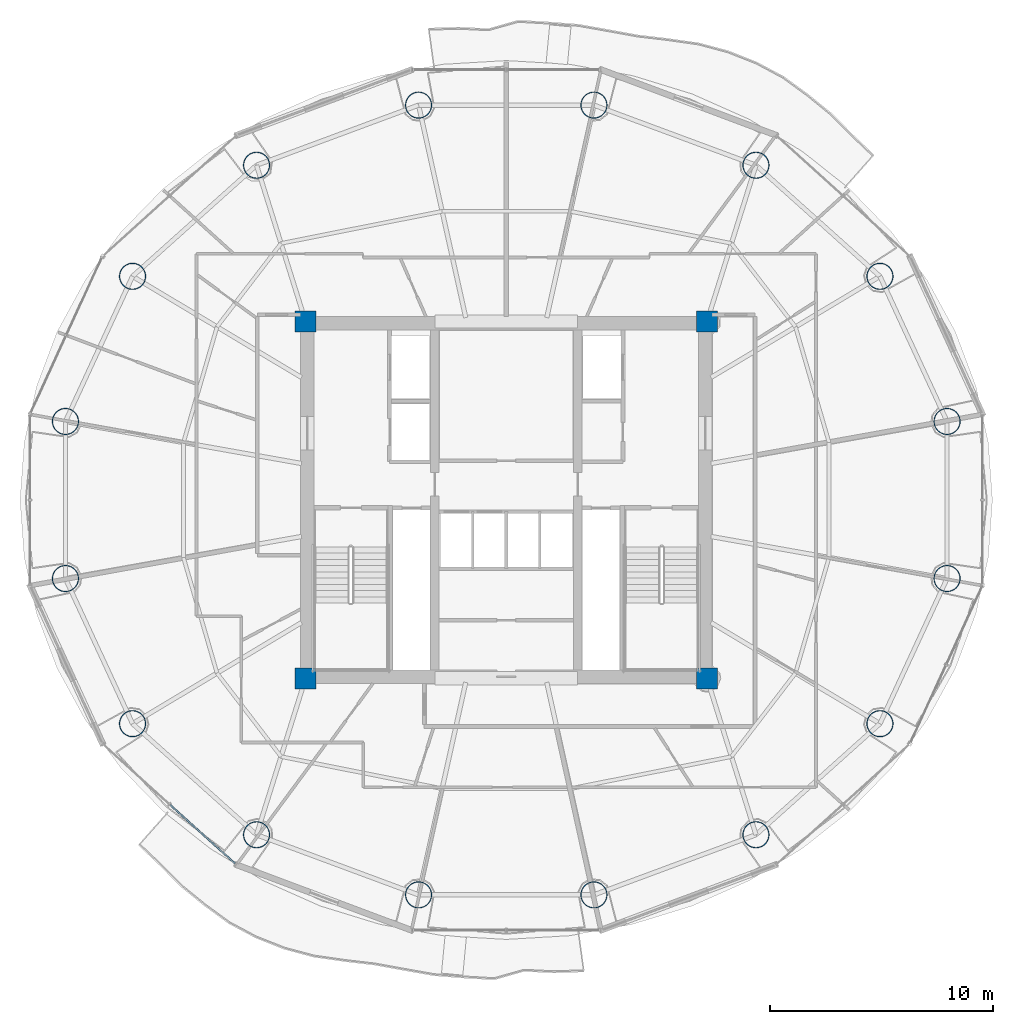
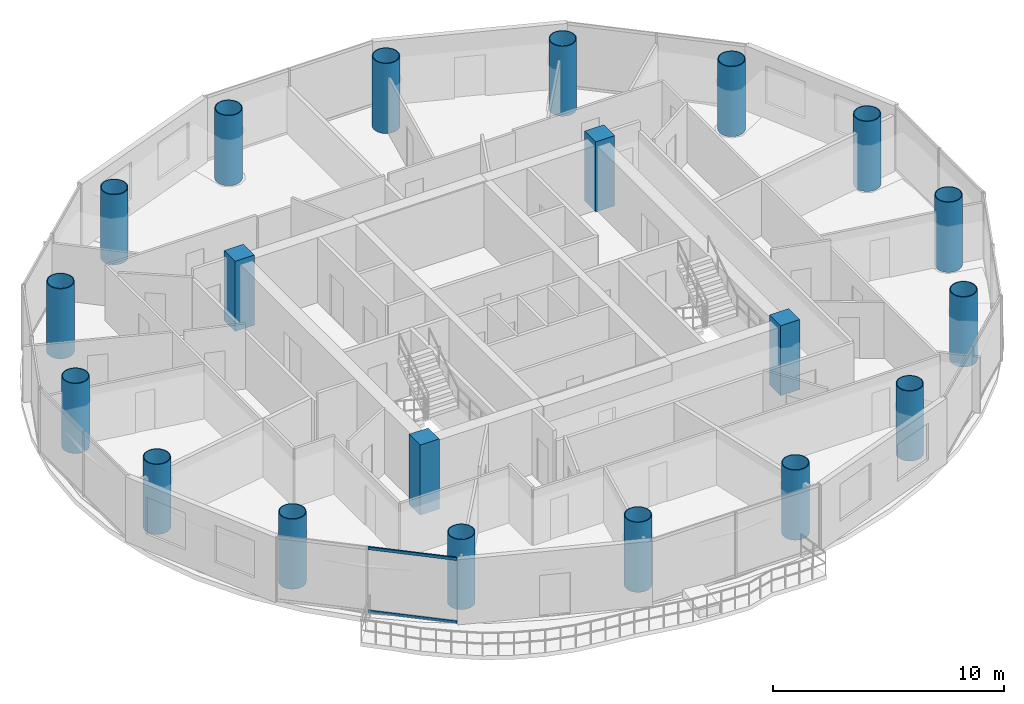
# One storey, part 1 of 27: 20 columns, 2 members, 1 element without a shape of its own.
"""IFC4 building model written with IfcOpenShell, lengths in metres."""

import ifcopenshell
import ifcopenshell.guid

model = None  # the IFC model being written
_history = None  # IfcOwnerHistory: only IFC2X3 demands one
_inside = {}  # id of a spatial element -> (the spatial element, [elements in it])
_under = {}  # id of a project, library or spatial element -> (it, [spatial elements below it])
_declared = {}  # id of a project -> (the project, [libraries it declares])
_typed = {}  # id of a type object -> (the type object, [elements of that type])
_made_of = {}  # id of a material, layer set ... -> (it, [elements and type objects made of it])


def new_model(schema):
    """Start an empty IFC model of exactly this schema.

    Asked for "IFC4X3", IfcOpenShell would pick the latest addendum, in which some entities
    have other attributes; the version numbers below select the first issue.
    IFC2X3 requires an IfcOwnerHistory on every rooted entity: one is made here for all.
    """
    global model, _history
    if schema == "IFC4X3":
        model = ifcopenshell.file(schema_version=(4, 3, 0, 0))
    else:
        model = ifcopenshell.file(schema=schema)
    _inside.clear()
    _under.clear()
    _declared.clear()
    _typed.clear()
    _made_of.clear()
    _history = None
    if model.schema == "IFC2X3":
        org = make("IfcOrganization", Name="unknown")
        user = make(
            "IfcPersonAndOrganization",
            ThePerson=make("IfcPerson", FamilyName="unknown"),
            TheOrganization=org,
        )
        app = make(
            "IfcApplication",
            ApplicationDeveloper=org,
            Version="unknown",
            ApplicationFullName="unknown",
            ApplicationIdentifier="unknown",
        )
        _history = make(
            "IfcOwnerHistory",
            OwningUser=user,
            OwningApplication=app,
            ChangeAction="ADDED",
            CreationDate=0,
        )
    return model


def make(cls, **values):
    """One entity of the class cls with the attributes given. An attribute that is None is left unset."""
    return model.create_entity(
        cls, **{name: value for name, value in values.items() if value is not None}
    )


def rooted(cls, **values):
    """An entity with a GlobalId (a new one), such as an element, a storey or a relation."""
    return make(cls, GlobalId=ifcopenshell.guid.new(), OwnerHistory=_history, **values)


def si_unit(unit_type, name, prefix=None):
    """IfcSIUnit, for example si_unit("LENGTHUNIT", "METRE", prefix="MILLI")."""
    return make("IfcSIUnit", UnitType=unit_type, Prefix=prefix, Name=name)


def assignment(units):
    """IfcUnitAssignment: the units of a project."""
    return None if units is None else make("IfcUnitAssignment", Units=units)


def point(xyz):
    """IfcCartesianPoint."""
    return None if xyz is None else make("IfcCartesianPoint", Coordinates=xyz)


def direction(xyz):
    """IfcDirection."""
    return None if xyz is None else make("IfcDirection", DirectionRatios=xyz)


def frame(location, z_axis=None, x_axis=None):
    """IfcAxis2Placement3D, a coordinate frame: its origin and axes. An axis left out is left unset."""
    return make(
        "IfcAxis2Placement3D",
        Location=point(location),
        Axis=direction(z_axis),
        RefDirection=direction(x_axis),
    )


def frame_2d(location, x_axis=None):
    """IfcAxis2Placement2D, a coordinate frame in the plane: its origin and x axis."""
    return make(
        "IfcAxis2Placement2D", Location=point(location), RefDirection=direction(x_axis)
    )


def origin():
    """The frame at (0, 0, 0) with its axes left unset."""
    return frame((0.0, 0.0, 0.0))


def origin_2d():
    """The frame at (0, 0) in the plane with its x axis left unset."""
    return frame_2d((0.0, 0.0))


def place(relative_to, where):
    """IfcLocalPlacement: puts the frame where relative to a parent placement (None: the world)."""
    return make(
        "IfcLocalPlacement", PlacementRelTo=relative_to, RelativePlacement=where
    )


def context(
    kind, dimensions, precision=None, world=None, true_north=None, identifier=None
):
    """IfcGeometricRepresentationContext, for example the 3D "Model" context."""
    return make(
        "IfcGeometricRepresentationContext",
        ContextIdentifier=identifier,
        ContextType=kind,
        CoordinateSpaceDimension=dimensions,
        Precision=precision,
        WorldCoordinateSystem=world,
        TrueNorth=true_north,
    )


def subcontext(parent, identifier, kind, view, scale=None):
    """IfcGeometricRepresentationSubContext, for example "Body" below "Model"."""
    return make(
        "IfcGeometricRepresentationSubContext",
        ContextIdentifier=identifier,
        ContextType=kind,
        ParentContext=parent,
        TargetScale=scale,
        TargetView=view,
    )


def project(units=None, contexts=None):
    """IfcProject with its units and contexts."""
    return rooted(
        "IfcProject",
        Name="project",
        RepresentationContexts=contexts,
        UnitsInContext=assignment(units),
    )


def spatial(cls, under=None, at=None, **own):
    """A site, building, storey or space (cls), placed at a placement, below another one or the project."""
    s = rooted(cls, ObjectPlacement=at, **own)
    if under is not None:
        _under.setdefault(under.id(), (under, []))[1].append(s)
    return s


def profile(cls, at=None, kind="AREA", **sizes):
    """A parametric profile (cls). Its sizes go by their IFC names, for example OverallWidth=200.0."""
    return make(cls, ProfileType=kind, Position=at, **sizes)


def rectangle(**sizes):
    """IfcRectangleProfileDef."""
    return profile("IfcRectangleProfileDef", **sizes)


def hollow_rectangle(**sizes):
    """IfcRectangleHollowProfileDef."""
    return profile("IfcRectangleHollowProfileDef", **sizes)


def hollow_circle(**sizes):
    """IfcCircleHollowProfileDef."""
    return profile("IfcCircleHollowProfileDef", **sizes)


def extrude(swept, where, along, depth):
    """IfcExtrudedAreaSolid: the profile swept, set in the frame where, extruded along a direction by depth."""
    return make(
        "IfcExtrudedAreaSolid",
        SweptArea=swept,
        Position=where,
        ExtrudedDirection=direction(along),
        Depth=depth,
    )


def shape(context_of_items, identifier, shape_type, items):
    """IfcShapeRepresentation: the items that make up one representation, for example the "Body"."""
    return make(
        "IfcShapeRepresentation",
        ContextOfItems=context_of_items,
        RepresentationIdentifier=identifier,
        RepresentationType=shape_type,
        Items=items,
    )


def source(mapping_origin, context_of_items, identifier, shape_type, items):
    """IfcRepresentationMap: a shape defined once, which mapped items show again and again."""
    return make(
        "IfcRepresentationMap",
        MappingOrigin=mapping_origin,
        MappedRepresentation=shape(context_of_items, identifier, shape_type, items),
    )


def transform(
    local_origin,
    x_axis=None,
    y_axis=None,
    z_axis=None,
    scale=None,
    scale2=None,
    scale3=None,
    uniform=True,
):
    """IfcCartesianTransformationOperator3D, or its non-uniform kind. x_axis, y_axis, z_axis: its Axis1, 2, 3."""
    if uniform:
        return make(
            "IfcCartesianTransformationOperator3D",
            Axis1=direction(x_axis),
            Axis2=direction(y_axis),
            LocalOrigin=point(local_origin),
            Scale=scale,
            Axis3=direction(z_axis),
        )
    return make(
        "IfcCartesianTransformationOperator3DnonUniform",
        Axis1=direction(x_axis),
        Axis2=direction(y_axis),
        LocalOrigin=point(local_origin),
        Scale=scale,
        Axis3=direction(z_axis),
        Scale2=scale2,
        Scale3=scale3,
    )


def mapped(mapping_source, mapping_target):
    """IfcMappedItem: shows the shape of a source again, moved by a transform."""
    return make(
        "IfcMappedItem", MappingSource=mapping_source, MappingTarget=mapping_target
    )


def material(Name=None, Category=None):
    """IfcMaterial."""
    return make("IfcMaterial", Name=Name, Category=Category)


def material_profile(
    of_material, cross_section, Name=None, Category=None, Priority=None
):
    """IfcMaterialProfile: a cross section and its material."""
    return make(
        "IfcMaterialProfile",
        Name=Name,
        Material=of_material,
        Profile=cross_section,
        Priority=Priority,
        Category=Category,
    )


def profile_set(profiles, Name=None, composite=None):
    """IfcMaterialProfileSet."""
    return make(
        "IfcMaterialProfileSet",
        Name=Name,
        MaterialProfiles=profiles,
        CompositeProfile=composite,
    )


def made_of(thing, what):
    """Note that an element or type object is made of a material, layer set ...; save() writes the relation."""
    if what is not None:
        _made_of.setdefault(what.id(), (what, []))[1].append(thing)
    return thing


def type_object(cls, material=None, **own):
    """A type object (cls), such as IfcWallType, which elements share."""
    return made_of(rooted(cls, **own), material)


def element(
    cls,
    number,
    at=None,
    inside=None,
    cuts=None,
    type_object=None,
    material=None,
    context=None,
    identifier="Body",
    shape_type=None,
    held_by="IfcProductDefinitionShape",
    body=None,
    shapes=None,
    **own,
):
    """One element of the class cls, such as IfcWall. Its Tag is "e" and its number.

    at: its placement. inside: the storey or other place that contains it. cuts: it is an
    opening in that element (IfcRelVoidsElement). A single representation is given by context,
    identifier, shape_type and body (its items); several are given by shapes. held_by: the class
    of the entity that holds the representations. save() writes the other relations.
    """
    e = rooted(cls, Tag="e%d" % number, ObjectPlacement=at, **own)
    if body is not None:
        shapes = [shape(context, identifier, shape_type, body)]
    if shapes is not None:
        e.Representation = make(held_by, Representations=shapes)
    if inside is not None:
        _inside.setdefault(inside.id(), (inside, []))[1].append(e)
    if cuts is not None:
        rooted(
            "IfcRelVoidsElement", RelatingBuildingElement=cuts, RelatedOpeningElement=e
        )
    if type_object is not None:
        _typed.setdefault(type_object.id(), (type_object, []))[1].append(e)
    return made_of(e, material)


def aggregate(whole, parts):
    """IfcRelAggregates: a whole, such as a stair, and the parts it consists of."""
    return rooted("IfcRelAggregates", RelatingObject=whole, RelatedObjects=parts)


def save(model, path):
    """Write the relations noted so far, then the file.

    IfcRelAggregates (storeys below a building ...), IfcRelContainedInSpatialStructure (elements
    in a storey), IfcRelDefinesByType, IfcRelAssociatesMaterial and IfcRelDeclares: one each for
    every whole, place, type object, material and project.
    """
    for whole, parts in _under.values():
        aggregate(whole, parts)
    for where, things in _inside.values():
        rooted(
            "IfcRelContainedInSpatialStructure",
            RelatedElements=things,
            RelatingStructure=where,
        )
    for kind, things in _typed.values():
        rooted("IfcRelDefinesByType", RelatedObjects=things, RelatingType=kind)
    for what, things in _made_of.values():
        rooted("IfcRelAssociatesMaterial", RelatedObjects=things, RelatingMaterial=what)
    for by, libraries in _declared.values():
        rooted("IfcRelDeclares", RelatingContext=by, RelatedDefinitions=libraries)
    model.write(path)


model = new_model("IFC4")

# Units and contexts
model_context = context("Model", 3, precision=1e-05, world=origin(), true_north=direction((-0.2419218956, 0.970295726276)))
body_context = subcontext(model_context, "Body", "Model", "MODEL_VIEW")
ifc_project = project(units=[si_unit("LENGTHUNIT", "METRE"), si_unit("AREAUNIT", "SQUARE_METRE"), si_unit("VOLUMEUNIT", "CUBIC_METRE"), si_unit("PLANEANGLEUNIT", "RADIAN"), si_unit("MASSUNIT", "GRAM", prefix="KILO")], contexts=[model_context])

# Site, building, storey
site_placement = place(None, origin())
site = spatial("IfcSite", under=ifc_project, at=site_placement, CompositionType="ELEMENT")
building_placement = place(site_placement, origin())
building = spatial("IfcBuilding", under=site, at=building_placement, Name="Cobrevalo Terracotta Tower", CompositionType="ELEMENT")
storey_placement = place(building_placement, frame((0.0, 0.0, 191.199951171875)))
storey = spatial("IfcBuildingStorey", under=building, at=storey_placement, Name="L50", CompositionType="ELEMENT", Elevation=191.199951171875)

# Columns
ifc_material_1 = material(Name="Steel S355", Category="steel")
ifc_material_profile_1 = material_profile(ifc_material_1, hollow_circle(Radius=0.60009765625, WallThickness=0.0380859375, at=origin_2d()), Name="CHS 1200x38")
ifc_profile_set_1 = profile_set([ifc_material_profile_1], Name="Steel S355")
column_type_1 = type_object("IfcColumnType", Name="Structural Column CHS 1200x38 (Steel S355)", PredefinedType="COLUMN", material=ifc_profile_set_1)
for number, where, z_axis, x_axis, name in (
    (1, (57.762939453125, 30.3212890625, 0.0), (0.0, 0.0, 1.0), (1.0, 0.0, 0.0), "L50 composite megacolumn MC01"),
    (2, (54.754150390625, 36.828125, 0.0), (0.0, 0.0, 1.0), (1.0, 0.0, 0.0), "L50 composite megacolumn MC02"),
    (3, (49.19482421875, 41.80810546875, 0.0), (0.0, 0.0, 1.0), (1.0, 0.0, 0.0), "L50 composite megacolumn MC03"),
    (4, (41.93115234375, 44.503173828125, 0.0), (0.0, 0.0, 1.0), (1.0, 0.0, 0.0), "L50 composite megacolumn MC04"),
    (5, (34.06884765625, 44.503173828125, 0.0), (0.0, 0.0, 1.0), (1.0, 0.0, 0.0), "L50 composite megacolumn MC05"),
    (6, (26.80517578125, 41.80810546875, 0.0), (0.0, 0.0, 1.0), (1.0, 0.0, 0.0), "L50 composite megacolumn MC06"),
    (7, (21.245849609375, 36.828125, 0.0), (0.0, 0.0, 1.0), (1.0, 0.0, 0.0), "L50 composite megacolumn MC07"),
    (8, (18.237060546875, 30.3212890625, 0.0), (0.0, 0.0, 1.0), (1.0, 0.0, 0.0), "L50 composite megacolumn MC08"),
    (9, (18.237060546875, 23.278564453125, 0.0), (0.0, 0.0, 1.0), (1.0, 0.0, 0.0), "L50 composite megacolumn MC09"),
    (10, (21.245849609375, 16.77197265625, 0.0), (0.0, 0.0, 1.0), (1.0, 0.0, 0.0), "L50 composite megacolumn MC10"),
    (11, (26.80517578125, 11.7919921875, 0.0), (0.0, 0.0, 1.0), (1.0, 0.0, 0.0), "L50 composite megacolumn MC11"),
    (12, (34.06884765625, 9.096923828125, 0.0), (0.0, 0.0, 1.0), (1.0, 0.0, 0.0), "L50 composite megacolumn MC12"),
    (13, (41.93115234375, 9.096923828125, 0.0), (0.0, 0.0, 1.0), (1.0, 0.0, 0.0), "L50 composite megacolumn MC13"),
    (14, (49.19482421875, 11.7919921875, 0.0), (0.0, 0.0, 1.0), (1.0, 0.0, 0.0), "L50 composite megacolumn MC14"),
    (15, (54.754150390625, 16.77197265625, 0.0), (0.0, 0.0, 1.0), (1.0, 0.0, 0.0), "L50 composite megacolumn MC15"),
    (16, (57.762939453125, 23.278564453125, 0.0), (0.0, 0.0, 1.0), (1.0, 0.0, 0.0), "L50 composite megacolumn MC16"),
):
    element("IfcColumn", number, at=place(storey_placement, frame(where, z_axis=z_axis, x_axis=x_axis)), inside=storey, type_object=column_type_1, Name=name, PredefinedType="COLUMN", context=body_context, shape_type="SweptSolid", body=[
        extrude(hollow_circle(Radius=0.60009765625, WallThickness=0.0380859375, at=origin_2d()), origin(), (0.0, 0.0, 1.0), 3.699951171875),
    ])
ifc_material_2 = material(Name="Concrete C55", Category="concrete")
ifc_material_profile_2 = material_profile(ifc_material_2, rectangle(XDim=0.949951171875, YDim=0.949951171875, at=origin_2d()), Name="RC COL 950x950")
ifc_profile_set_2 = profile_set([ifc_material_profile_2], Name="Concrete C55")
column_type_2 = type_object("IfcColumnType", Name="Structural Column RC COL 950x950 (Concrete C55)", PredefinedType="COLUMN", material=ifc_profile_set_2)
for number, where, z_axis, x_axis, name in (
    (17, (29.0, 18.800048828125, 0.0), (0.0, 0.0, 1.0), (1.0, 0.0, 0.0), "L50 core corner column CC1"),
    (18, (47.0, 18.800048828125, 0.0), (0.0, 0.0, 1.0), (1.0, 0.0, 0.0), "L50 core corner column CC2"),
    (19, (47.0, 34.800048828125, 0.0), (0.0, 0.0, 1.0), (1.0, 0.0, 0.0), "L50 core corner column CC3"),
    (20, (29.0, 34.800048828125, 0.0), (0.0, 0.0, 1.0), (1.0, 0.0, 0.0), "L50 core corner column CC4"),
):
    element("IfcColumn", number, at=place(storey_placement, frame(where, z_axis=z_axis, x_axis=x_axis)), inside=storey, type_object=column_type_2, Name=name, PredefinedType="COLUMN", context=body_context, shape_type="SweptSolid", body=[
        extrude(rectangle(XDim=0.949951171875, YDim=0.949951171875, at=origin_2d()), origin(), (0.0, 0.0, 1.0), 3.699951171875),
    ])

# Curtain wall, members
ifc_material_3 = material(Name="Anodized aluminium", Category="aluminium")
curtain_wall_type = type_object("IfcCurtainWallType", Name="Mid-tower high-wind unitised curtain wall CW-U2", PredefinedType="NOTDEFINED", material=ifc_material_3)
curtain_wall_placement = place(storey_placement, origin())
curtain_wall = element("IfcCurtainWall", 21, at=curtain_wall_placement, inside=storey, type_object=curtain_wall_type, Name="L50 curtain wall CW-L50-S10", PredefinedType="NOTDEFINED")
ifc_material_profile_3 = material_profile(ifc_material_3, hollow_rectangle(XDim=0.074951171875, YDim=0.14990234375, WallThickness=0.00439453125, at=origin_2d()), Name="CWT 75x150")
ifc_profile_set_3 = profile_set([ifc_material_profile_3], Name="Anodized aluminium")
member_type = type_object("IfcMemberType", Name="Tower unitised aluminium transom 75x150", PredefinedType="USERDEFINED", material=ifc_profile_set_3)
shared_shape = source(origin(), body_context, "Body", "SweptSolid", [
    extrude(hollow_rectangle(XDim=0.074951171875, YDim=0.14990234375, WallThickness=0.00439453125, at=origin_2d()), origin(), (0.0, 0.0, 1.0), 3.927734375),
])
member_1_placement = place(storey_placement, frame((22.931640625, 13.131591796875, 0.050048828125), z_axis=(0.742003891138, -0.670395573923, 0.0), x_axis=(0.670395573923, 0.742003891138, 0.0)))
member_1 = element("IfcMember", 22, at=member_1_placement, type_object=member_type, Name="CW-L50-S10 transom B02-T1", ObjectType="TRANSOM", PredefinedType="USERDEFINED", context=body_context, shape_type="MappedRepresentation", body=[
    mapped(shared_shape, transform((0.0, 0.0, 0.0), scale=1.0)),
])
member_2_placement = place(storey_placement, frame((22.931640625, 13.131591796875, 3.385009765625), z_axis=(0.742003891138, -0.670395573923, 0.0), x_axis=(0.670395573923, 0.742003891138, 0.0)))
member_2 = element("IfcMember", 23, at=member_2_placement, type_object=member_type, Name="CW-L50-S10 transom B02-T2", ObjectType="TRANSOM", PredefinedType="USERDEFINED", context=body_context, shape_type="MappedRepresentation", body=[
    mapped(shared_shape, transform((0.0, 0.0, 0.0), scale=1.0)),
])
aggregate(curtain_wall, [member_1, member_2])

save(model, "model.ifc")
